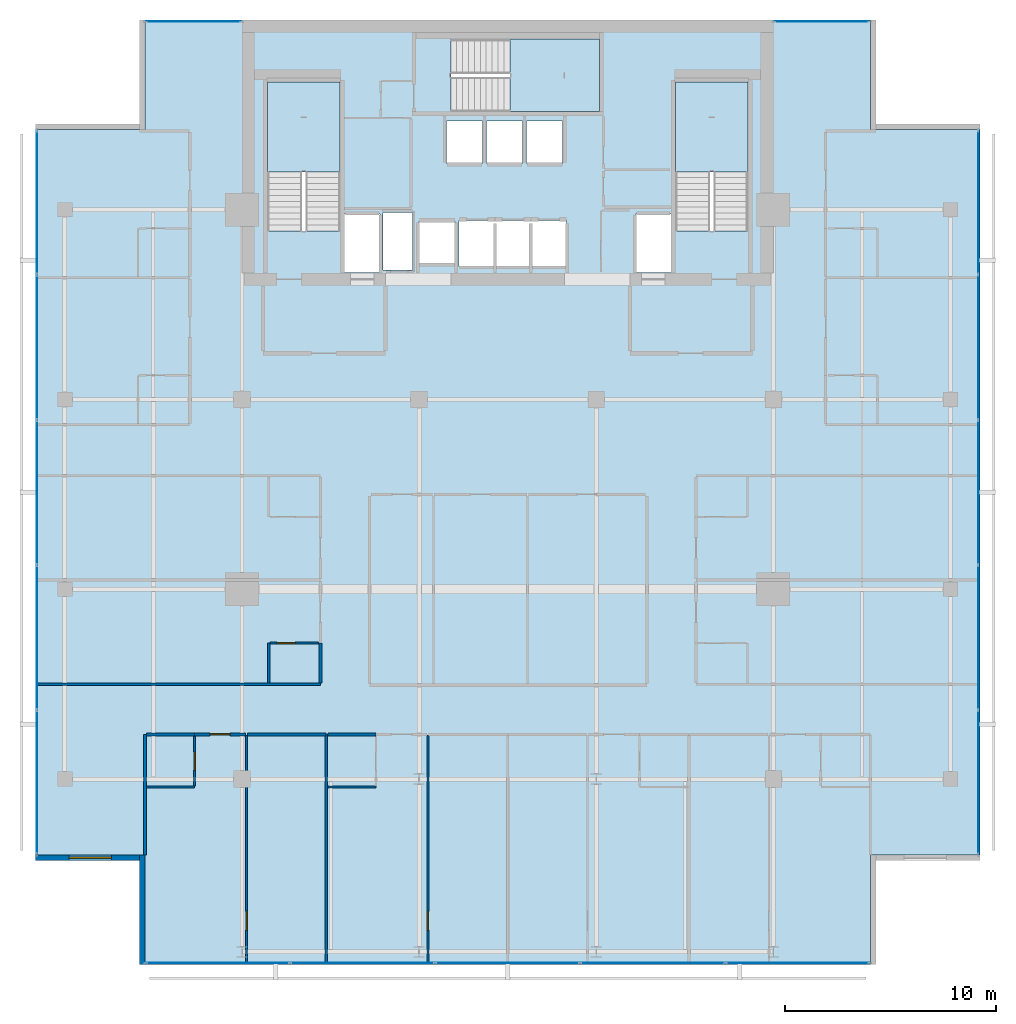
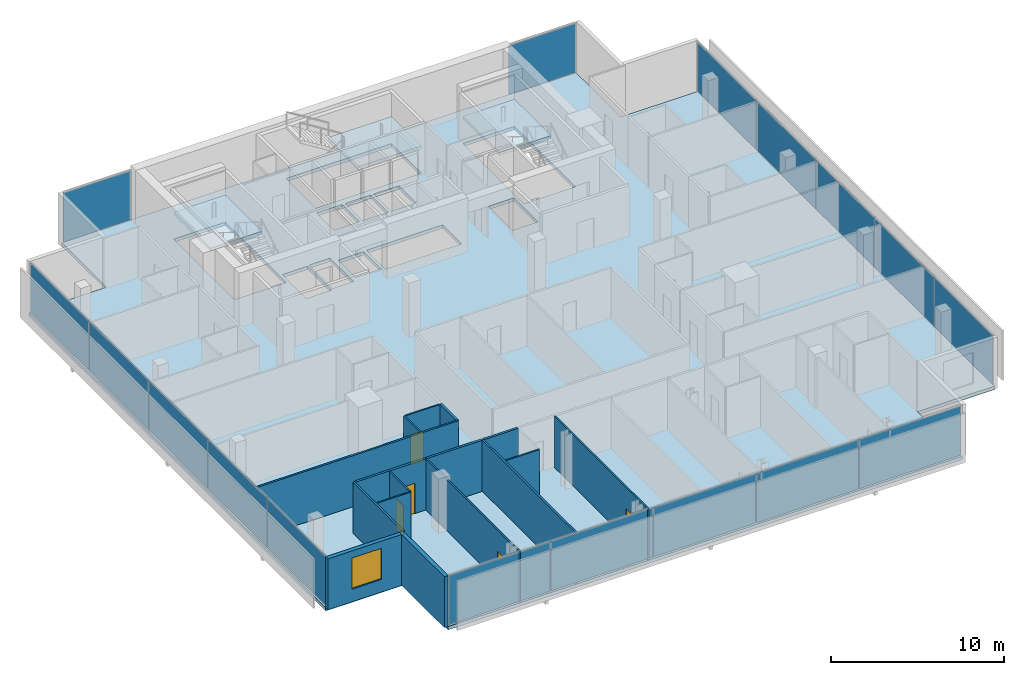
# One storey, part 19 of 25: 17 plates, 17 walls, 5 doors, 4 slabs, 1 window, 6 openings, 8 elements without a shape of their own.
"""IFC4 building model written with IfcOpenShell, lengths in metres."""

import ifcopenshell
import ifcopenshell.guid

model = None  # the IFC model being written
_history = None  # IfcOwnerHistory: only IFC2X3 demands one
_inside = {}  # id of a spatial element -> (the spatial element, [elements in it])
_under = {}  # id of a project, library or spatial element -> (it, [spatial elements below it])
_declared = {}  # id of a project -> (the project, [libraries it declares])
_typed = {}  # id of a type object -> (the type object, [elements of that type])
_made_of = {}  # id of a material, layer set ... -> (it, [elements and type objects made of it])


def new_model(schema):
    """Start an empty IFC model of exactly this schema.

    Asked for "IFC4X3", IfcOpenShell would pick the latest addendum, in which some entities
    have other attributes; the version numbers below select the first issue.
    IFC2X3 requires an IfcOwnerHistory on every rooted entity: one is made here for all.
    """
    global model, _history
    if schema == "IFC4X3":
        model = ifcopenshell.file(schema_version=(4, 3, 0, 0))
    else:
        model = ifcopenshell.file(schema=schema)
    _inside.clear()
    _under.clear()
    _declared.clear()
    _typed.clear()
    _made_of.clear()
    _history = None
    if model.schema == "IFC2X3":
        org = make("IfcOrganization", Name="unknown")
        user = make(
            "IfcPersonAndOrganization",
            ThePerson=make("IfcPerson", FamilyName="unknown"),
            TheOrganization=org,
        )
        app = make(
            "IfcApplication",
            ApplicationDeveloper=org,
            Version="unknown",
            ApplicationFullName="unknown",
            ApplicationIdentifier="unknown",
        )
        _history = make(
            "IfcOwnerHistory",
            OwningUser=user,
            OwningApplication=app,
            ChangeAction="ADDED",
            CreationDate=0,
        )
    return model


def make(cls, **values):
    """One entity of the class cls with the attributes given. An attribute that is None is left unset."""
    return model.create_entity(
        cls, **{name: value for name, value in values.items() if value is not None}
    )


def rooted(cls, **values):
    """An entity with a GlobalId (a new one), such as an element, a storey or a relation."""
    return make(cls, GlobalId=ifcopenshell.guid.new(), OwnerHistory=_history, **values)


def si_unit(unit_type, name, prefix=None):
    """IfcSIUnit, for example si_unit("LENGTHUNIT", "METRE", prefix="MILLI")."""
    return make("IfcSIUnit", UnitType=unit_type, Prefix=prefix, Name=name)


def assignment(units):
    """IfcUnitAssignment: the units of a project."""
    return None if units is None else make("IfcUnitAssignment", Units=units)


def point(xyz):
    """IfcCartesianPoint."""
    return None if xyz is None else make("IfcCartesianPoint", Coordinates=xyz)


def direction(xyz):
    """IfcDirection."""
    return None if xyz is None else make("IfcDirection", DirectionRatios=xyz)


def frame(location, z_axis=None, x_axis=None):
    """IfcAxis2Placement3D, a coordinate frame: its origin and axes. An axis left out is left unset."""
    return make(
        "IfcAxis2Placement3D",
        Location=point(location),
        Axis=direction(z_axis),
        RefDirection=direction(x_axis),
    )


def frame_2d(location, x_axis=None):
    """IfcAxis2Placement2D, a coordinate frame in the plane: its origin and x axis."""
    return make(
        "IfcAxis2Placement2D", Location=point(location), RefDirection=direction(x_axis)
    )


def origin():
    """The frame at (0, 0, 0) with its axes left unset."""
    return frame((0.0, 0.0, 0.0))


def origin_2d():
    """The frame at (0, 0) in the plane with its x axis left unset."""
    return frame_2d((0.0, 0.0))


def place(relative_to, where):
    """IfcLocalPlacement: puts the frame where relative to a parent placement (None: the world)."""
    return make(
        "IfcLocalPlacement", PlacementRelTo=relative_to, RelativePlacement=where
    )


def context(
    kind, dimensions, precision=None, world=None, true_north=None, identifier=None
):
    """IfcGeometricRepresentationContext, for example the 3D "Model" context."""
    return make(
        "IfcGeometricRepresentationContext",
        ContextIdentifier=identifier,
        ContextType=kind,
        CoordinateSpaceDimension=dimensions,
        Precision=precision,
        WorldCoordinateSystem=world,
        TrueNorth=true_north,
    )


def subcontext(parent, identifier, kind, view, scale=None):
    """IfcGeometricRepresentationSubContext, for example "Body" below "Model"."""
    return make(
        "IfcGeometricRepresentationSubContext",
        ContextIdentifier=identifier,
        ContextType=kind,
        ParentContext=parent,
        TargetScale=scale,
        TargetView=view,
    )


def project(units=None, contexts=None):
    """IfcProject with its units and contexts."""
    return rooted(
        "IfcProject",
        Name="project",
        RepresentationContexts=contexts,
        UnitsInContext=assignment(units),
    )


def spatial(cls, under=None, at=None, **own):
    """A site, building, storey or space (cls), placed at a placement, below another one or the project."""
    s = rooted(cls, ObjectPlacement=at, **own)
    if under is not None:
        _under.setdefault(under.id(), (under, []))[1].append(s)
    return s


def polyline(points):
    """IfcPolyline through the points."""
    return make("IfcPolyline", Points=[point(p) for p in points])


def profile(cls, at=None, kind="AREA", **sizes):
    """A parametric profile (cls). Its sizes go by their IFC names, for example OverallWidth=200.0."""
    return make(cls, ProfileType=kind, Position=at, **sizes)


def rectangle(**sizes):
    """IfcRectangleProfileDef."""
    return profile("IfcRectangleProfileDef", **sizes)


def outline(outer, holes=None, kind="AREA"):
    """IfcArbitraryClosedProfileDef: a profile drawn as a closed curve; with holes, ...WithVoids."""
    if holes is None:
        return make("IfcArbitraryClosedProfileDef", ProfileType=kind, OuterCurve=outer)
    return make(
        "IfcArbitraryProfileDefWithVoids",
        ProfileType=kind,
        OuterCurve=outer,
        InnerCurves=holes,
    )


def extrude(swept, where, along, depth):
    """IfcExtrudedAreaSolid: the profile swept, set in the frame where, extruded along a direction by depth."""
    return make(
        "IfcExtrudedAreaSolid",
        SweptArea=swept,
        Position=where,
        ExtrudedDirection=direction(along),
        Depth=depth,
    )


def shape(context_of_items, identifier, shape_type, items):
    """IfcShapeRepresentation: the items that make up one representation, for example the "Body"."""
    return make(
        "IfcShapeRepresentation",
        ContextOfItems=context_of_items,
        RepresentationIdentifier=identifier,
        RepresentationType=shape_type,
        Items=items,
    )


def material(Name=None, Category=None):
    """IfcMaterial."""
    return make("IfcMaterial", Name=Name, Category=Category)


def layer(
    of_material, thickness, ventilated=None, Name=None, Category=None, Priority=None
):
    """IfcMaterialLayer: one layer of a wall or slab, of a material (None: an air gap)."""
    return make(
        "IfcMaterialLayer",
        Material=of_material,
        LayerThickness=thickness,
        IsVentilated=ventilated,
        Name=Name,
        Category=Category,
        Priority=Priority,
    )


def layer_set(layers, Name=None):
    """IfcMaterialLayerSet."""
    return make("IfcMaterialLayerSet", MaterialLayers=layers, LayerSetName=Name)


def made_of(thing, what):
    """Note that an element or type object is made of a material, layer set ...; save() writes the relation."""
    if what is not None:
        _made_of.setdefault(what.id(), (what, []))[1].append(thing)
    return thing


def type_object(cls, material=None, **own):
    """A type object (cls), such as IfcWallType, which elements share."""
    return made_of(rooted(cls, **own), material)


def element(
    cls,
    number,
    at=None,
    inside=None,
    cuts=None,
    type_object=None,
    material=None,
    context=None,
    identifier="Body",
    shape_type=None,
    held_by="IfcProductDefinitionShape",
    body=None,
    shapes=None,
    **own,
):
    """One element of the class cls, such as IfcWall. Its Tag is "e" and its number.

    at: its placement. inside: the storey or other place that contains it. cuts: it is an
    opening in that element (IfcRelVoidsElement). A single representation is given by context,
    identifier, shape_type and body (its items); several are given by shapes. held_by: the class
    of the entity that holds the representations. save() writes the other relations.
    """
    e = rooted(cls, Tag="e%d" % number, ObjectPlacement=at, **own)
    if body is not None:
        shapes = [shape(context, identifier, shape_type, body)]
    if shapes is not None:
        e.Representation = make(held_by, Representations=shapes)
    if inside is not None:
        _inside.setdefault(inside.id(), (inside, []))[1].append(e)
    if cuts is not None:
        rooted(
            "IfcRelVoidsElement", RelatingBuildingElement=cuts, RelatedOpeningElement=e
        )
    if type_object is not None:
        _typed.setdefault(type_object.id(), (type_object, []))[1].append(e)
    return made_of(e, material)


def fill(opening, filler):
    """IfcRelFillsElement: the door or window that sits in an opening."""
    return rooted(
        "IfcRelFillsElement",
        RelatingOpeningElement=opening,
        RelatedBuildingElement=filler,
    )


def aggregate(whole, parts):
    """IfcRelAggregates: a whole, such as a stair, and the parts it consists of."""
    return rooted("IfcRelAggregates", RelatingObject=whole, RelatedObjects=parts)


def save(model, path):
    """Write the relations noted so far, then the file.

    IfcRelAggregates (storeys below a building ...), IfcRelContainedInSpatialStructure (elements
    in a storey), IfcRelDefinesByType, IfcRelAssociatesMaterial and IfcRelDeclares: one each for
    every whole, place, type object, material and project.
    """
    for whole, parts in _under.values():
        aggregate(whole, parts)
    for where, things in _inside.values():
        rooted(
            "IfcRelContainedInSpatialStructure",
            RelatedElements=things,
            RelatingStructure=where,
        )
    for kind, things in _typed.values():
        rooted("IfcRelDefinesByType", RelatedObjects=things, RelatingType=kind)
    for what, things in _made_of.values():
        rooted("IfcRelAssociatesMaterial", RelatedObjects=things, RelatingMaterial=what)
    for by, libraries in _declared.values():
        rooted("IfcRelDeclares", RelatingContext=by, RelatedDefinitions=libraries)
    model.write(path)


model = new_model("IFC4")

# Units and contexts
model_context = context("Model", 3, precision=1e-05, world=origin(), true_north=direction((0.0, 1.0)))
body_context = subcontext(model_context, "Body", "Model", "MODEL_VIEW")
ifc_project = project(units=[si_unit("LENGTHUNIT", "METRE"), si_unit("AREAUNIT", "SQUARE_METRE"), si_unit("VOLUMEUNIT", "CUBIC_METRE"), si_unit("PLANEANGLEUNIT", "RADIAN"), si_unit("MASSUNIT", "GRAM", prefix="KILO")], contexts=[model_context])

# Site, building, storey
site_placement = place(None, origin())
site = spatial("IfcSite", under=ifc_project, at=site_placement, CompositionType="ELEMENT")
building_placement = place(site_placement, origin())
building = spatial("IfcBuilding", under=site, at=building_placement, Name="Maruvema Waterfront Hotel and Observation Tower", CompositionType="ELEMENT")
storey_placement = place(building_placement, frame((0.0, 0.0, 250.949951171875)))
storey = spatial("IfcBuildingStorey", under=building, at=storey_placement, Name="L61", CompositionType="ELEMENT", Elevation=250.949951171875)

# Slab
ifc_material_1 = material(Name="Concrete C50/60", Category="concrete")
ifc_layer_1 = layer(ifc_material_1, 0.239990234375, Name="Reinforced Concrete Floor Slab 240 mm")
ifc_layer_set_1 = layer_set([ifc_layer_1], Name="Concrete C50/60")
slab_type_1 = type_object("IfcSlabType", Name="Reinforced Concrete Floor Slab 240 mm", PredefinedType="FLOOR", material=ifc_layer_set_1)
slab_1_placement = place(storey_placement, frame((0.0, 0.0, -0.239990234375)))
element("IfcSlab", 1, at=slab_1_placement, inside=storey, type_object=slab_type_1, Name="L61 Structural Floor Slab", PredefinedType="FLOOR", context=body_context, shape_type="SweptSolid", body=[
    extrude(outline(polyline([(20.60009765625, 9.199951171875), (55.0, 9.199951171875), (55.0, 14.39990234375), (60.199951171875, 14.39990234375), (60.199951171875, 48.800048828125), (55.0, 48.800048828125), (55.0, 54.0), (20.60009765625, 54.0), (20.60009765625, 48.800048828125), (15.39990234375, 48.800048828125), (15.39990234375, 14.39990234375), (20.60009765625, 14.39990234375), (20.60009765625, 9.199951171875)]), holes=[polyline([(26.39990234375, 44.00048828125), (26.39990234375, 51.050048828125), (29.85009765625, 51.050048828125), (29.85009765625, 44.00048828125), (26.39990234375, 44.00048828125)]), polyline([(30.050048828125, 44.800048828125), (31.75, 44.800048828125), (31.75, 42.02001953125), (30.050048828125, 42.02001953125), (30.050048828125, 44.800048828125)]), polyline([(31.8798828125, 42.139892578125), (31.8798828125, 44.860107421875), (33.280029296875, 44.860107421875), (33.280029296875, 42.139892578125), (31.8798828125, 42.139892578125)]), polyline([(33.60009765625, 44.449951171875), (35.300048828125, 44.449951171875), (35.300048828125, 42.449951171875), (33.60009765625, 42.449951171875), (33.60009765625, 44.449951171875)]), polyline([(34.89990234375, 49.199951171875), (36.60009765625, 49.199951171875), (36.60009765625, 47.199951171875), (34.89990234375, 47.199951171875), (34.89990234375, 49.199951171875)]), polyline([(36.800048828125, 47.199951171875), (36.800048828125, 49.199951171875), (38.5, 49.199951171875), (38.5, 47.199951171875), (36.800048828125, 47.199951171875)]), polyline([(35.5, 42.300048828125), (35.5, 44.5), (40.60009765625, 44.5), (40.60009765625, 42.300048828125), (35.5, 42.300048828125)]), polyline([(35.1005859375, 53.10009765625), (42.14990234375, 53.10009765625), (42.14990234375, 49.64990234375), (35.1005859375, 49.64990234375), (35.1005859375, 53.10009765625)]), polyline([(38.699951171875, 49.199951171875), (40.39990234375, 49.199951171875), (40.39990234375, 47.199951171875), (38.699951171875, 47.199951171875), (38.699951171875, 49.199951171875)]), polyline([(43.85009765625, 44.800048828125), (45.550048828125, 44.800048828125), (45.550048828125, 42.02001953125), (43.85009765625, 42.02001953125), (43.85009765625, 44.800048828125)]), polyline([(45.75, 44.00048828125), (45.75, 51.050048828125), (49.199951171875, 51.050048828125), (49.199951171875, 44.00048828125), (45.75, 44.00048828125)])]), origin(), (0.0, 0.0, 1.0), 0.239990234375),
])

# Curtain wall, plates
ifc_material_2 = material(Name="Anodised bronze aluminium and solar-control low-E IGU", Category="aluminium")
ifc_layer_2 = layer(ifc_material_2, 0.159912109375, Name="Zone 3 Champagne Inner Thermal Curtain Wall System CW-04")
ifc_layer_set_2 = layer_set([ifc_layer_2], Name="Anodised bronze aluminium and solar-control low-E IGU")
curtain_wall_type = type_object("IfcCurtainWallType", Name="Zone 3 Champagne Inner Thermal Curtain Wall System CW-04", PredefinedType="USERDEFINED", material=ifc_layer_set_2)
curtain_wall_1_placement = place(storey_placement, origin())
curtain_wall_1 = element("IfcCurtainWall", 2, at=curtain_wall_1_placement, inside=storey, type_object=curtain_wall_type, Name="L61 Curtain Wall CW-L61-S", ObjectType="UNITISED CURTAIN WALL", PredefinedType="USERDEFINED")
ifc_material_3 = material(Name="Laminated low-E solar-control double glazing", Category="glass")
ifc_layer_3 = layer(ifc_material_3, 0.035888671875, Name="Solar Control Double-Glazed Curtain Panel 36 mm")
ifc_layer_set_3 = layer_set([ifc_layer_3], Name="Laminated low-E solar-control double glazing")
plate_type = type_object("IfcPlateType", Name="Solar Control Double-Glazed Curtain Panel 36 mm", PredefinedType="CURTAIN_PANEL", material=ifc_layer_set_3)
plate_1_placement = place(storey_placement, frame((24.054931640625, 9.280029296875, 0.06005859375), z_axis=(0.0, 0.0, 1.0), x_axis=(1.0, 0.0, 0.0)))
plate_1 = element("IfcPlate", 3, at=plate_1_placement, type_object=plate_type, Name="CW-04 panel 1.1", PredefinedType="CURTAIN_PANEL", context=body_context, shape_type="SweptSolid", body=[
    extrude(rectangle(XDim=6.7900390625, YDim=0.028076171875, at=origin_2d()), origin(), (0.0, 0.0, 1.0), 3.489990234375),
])
plate_2_placement = place(storey_placement, frame((30.919921875, 9.280029296875, 0.06005859375), z_axis=(0.0, 0.0, 1.0), x_axis=(1.0, 0.0, 0.0)))
plate_2 = element("IfcPlate", 4, at=plate_2_placement, type_object=plate_type, Name="CW-04 panel 2.1", PredefinedType="CURTAIN_PANEL", context=body_context, shape_type="SweptSolid", body=[
    extrude(rectangle(XDim=6.820068359375, YDim=0.028076171875, at=origin_2d()), origin(), (0.0, 0.0, 1.0), 3.489990234375),
])
plate_3_placement = place(storey_placement, frame((37.800048828125, 9.280029296875, 0.06005859375), z_axis=(0.0, 0.0, 1.0), x_axis=(1.0, 0.0, 0.0)))
plate_3 = element("IfcPlate", 5, at=plate_3_placement, type_object=plate_type, Name="CW-04 panel 3.1", PredefinedType="CURTAIN_PANEL", context=body_context, shape_type="SweptSolid", body=[
    extrude(rectangle(XDim=6.820068359375, YDim=0.028076171875, at=origin_2d()), origin(), (0.0, 0.0, 1.0), 3.489990234375),
])
plate_4_placement = place(storey_placement, frame((44.679931640625, 9.280029296875, 0.06005859375), z_axis=(0.0, 0.0, 1.0), x_axis=(1.0, 0.0, 0.0)))
plate_4 = element("IfcPlate", 6, at=plate_4_placement, type_object=plate_type, Name="CW-04 panel 4.1", PredefinedType="CURTAIN_PANEL", context=body_context, shape_type="SweptSolid", body=[
    extrude(rectangle(XDim=6.820068359375, YDim=0.028076171875, at=origin_2d()), origin(), (0.0, 0.0, 1.0), 3.489990234375),
])
plate_5_placement = place(storey_placement, frame((51.544921875, 9.280029296875, 0.06005859375), z_axis=(0.0, 0.0, 1.0), x_axis=(1.0, 0.0, 0.0)))
plate_5 = element("IfcPlate", 7, at=plate_5_placement, type_object=plate_type, Name="CW-04 panel 5.1", PredefinedType="CURTAIN_PANEL", context=body_context, shape_type="SweptSolid", body=[
    extrude(rectangle(XDim=6.7900390625, YDim=0.028076171875, at=origin_2d()), origin(), (0.0, 0.0, 1.0), 3.489990234375),
])
aggregate(curtain_wall_1, [plate_1, plate_2, plate_3, plate_4, plate_5])

curtain_wall_2_placement = place(storey_placement, origin())
curtain_wall_2 = element("IfcCurtainWall", 8, at=curtain_wall_2_placement, inside=storey, type_object=curtain_wall_type, Name="L61 Curtain Wall CW-L61-E", ObjectType="UNITISED CURTAIN WALL", PredefinedType="USERDEFINED")
plate_6_placement = place(storey_placement, frame((60.1201171875, 17.85498046875, 0.06005859375), z_axis=(0.0, 0.0, 1.0), x_axis=(0.0, 1.0, 0.0)))
plate_6 = element("IfcPlate", 9, at=plate_6_placement, type_object=plate_type, Name="CW-04 panel 1.1", PredefinedType="CURTAIN_PANEL", context=body_context, shape_type="SweptSolid", body=[
    extrude(rectangle(XDim=6.7900390625, YDim=0.028076171875, at=origin_2d()), origin(), (0.0, 0.0, 1.0), 3.489990234375),
])
plate_7_placement = place(storey_placement, frame((60.1201171875, 24.719970703125, 0.06005859375), z_axis=(0.0, 0.0, 1.0), x_axis=(0.0, 1.0, 0.0)))
plate_7 = element("IfcPlate", 10, at=plate_7_placement, type_object=plate_type, Name="CW-04 panel 2.1", PredefinedType="CURTAIN_PANEL", context=body_context, shape_type="SweptSolid", body=[
    extrude(rectangle(XDim=6.820068359375, YDim=0.028076171875, at=origin_2d()), origin(), (0.0, 0.0, 1.0), 3.489990234375),
])
plate_8_placement = place(storey_placement, frame((60.1201171875, 31.60009765625, 0.06005859375), z_axis=(0.0, 0.0, 1.0), x_axis=(0.0, 1.0, 0.0)))
plate_8 = element("IfcPlate", 11, at=plate_8_placement, type_object=plate_type, Name="CW-04 panel 3.1", PredefinedType="CURTAIN_PANEL", context=body_context, shape_type="SweptSolid", body=[
    extrude(rectangle(XDim=6.820068359375, YDim=0.028076171875, at=origin_2d()), origin(), (0.0, 0.0, 1.0), 3.489990234375),
])
plate_9_placement = place(storey_placement, frame((60.1201171875, 38.47998046875, 0.06005859375), z_axis=(0.0, 0.0, 1.0), x_axis=(0.0, 1.0, 0.0)))
plate_9 = element("IfcPlate", 12, at=plate_9_placement, type_object=plate_type, Name="CW-04 panel 4.1", PredefinedType="CURTAIN_PANEL", context=body_context, shape_type="SweptSolid", body=[
    extrude(rectangle(XDim=6.820068359375, YDim=0.028076171875, at=origin_2d()), origin(), (0.0, 0.0, 1.0), 3.489990234375),
])
plate_10_placement = place(storey_placement, frame((60.1201171875, 45.344970703125, 0.06005859375), z_axis=(0.0, 0.0, 1.0), x_axis=(0.0, 1.0, 0.0)))
plate_10 = element("IfcPlate", 13, at=plate_10_placement, type_object=plate_type, Name="CW-04 panel 5.1", PredefinedType="CURTAIN_PANEL", context=body_context, shape_type="SweptSolid", body=[
    extrude(rectangle(XDim=6.7900390625, YDim=0.028076171875, at=origin_2d()), origin(), (0.0, 0.0, 1.0), 3.489990234375),
])
aggregate(curtain_wall_2, [plate_6, plate_7, plate_8, plate_9, plate_10])

curtain_wall_3_placement = place(storey_placement, origin())
curtain_wall_3 = element("IfcCurtainWall", 14, at=curtain_wall_3_placement, inside=storey, type_object=curtain_wall_type, Name="L61 Curtain Wall CW-L61-W", ObjectType="UNITISED CURTAIN WALL", PredefinedType="USERDEFINED")
plate_11_placement = place(storey_placement, frame((15.47998046875, 45.344970703125, 0.06005859375), z_axis=(0.0, 0.0, 1.0), x_axis=(0.0, -1.0, 0.0)))
plate_11 = element("IfcPlate", 15, at=plate_11_placement, type_object=plate_type, Name="CW-04 panel 1.1", PredefinedType="CURTAIN_PANEL", context=body_context, shape_type="SweptSolid", body=[
    extrude(rectangle(XDim=6.7900390625, YDim=0.028076171875, at=origin_2d()), origin(), (0.0, 0.0, 1.0), 3.489990234375),
])
plate_12_placement = place(storey_placement, frame((15.47998046875, 38.47998046875, 0.06005859375), z_axis=(0.0, 0.0, 1.0), x_axis=(0.0, -1.0, 0.0)))
plate_12 = element("IfcPlate", 16, at=plate_12_placement, type_object=plate_type, Name="CW-04 panel 2.1", PredefinedType="CURTAIN_PANEL", context=body_context, shape_type="SweptSolid", body=[
    extrude(rectangle(XDim=6.820068359375, YDim=0.028076171875, at=origin_2d()), origin(), (0.0, 0.0, 1.0), 3.489990234375),
])
plate_13_placement = place(storey_placement, frame((15.47998046875, 31.60009765625, 0.06005859375), z_axis=(0.0, 0.0, 1.0), x_axis=(0.0, -1.0, 0.0)))
plate_13 = element("IfcPlate", 17, at=plate_13_placement, type_object=plate_type, Name="CW-04 panel 3.1", PredefinedType="CURTAIN_PANEL", context=body_context, shape_type="SweptSolid", body=[
    extrude(rectangle(XDim=6.820068359375, YDim=0.028076171875, at=origin_2d()), origin(), (0.0, 0.0, 1.0), 3.489990234375),
])
plate_14_placement = place(storey_placement, frame((15.47998046875, 24.719970703125, 0.06005859375), z_axis=(0.0, 0.0, 1.0), x_axis=(0.0, -1.0, 0.0)))
plate_14 = element("IfcPlate", 18, at=plate_14_placement, type_object=plate_type, Name="CW-04 panel 4.1", PredefinedType="CURTAIN_PANEL", context=body_context, shape_type="SweptSolid", body=[
    extrude(rectangle(XDim=6.820068359375, YDim=0.028076171875, at=origin_2d()), origin(), (0.0, 0.0, 1.0), 3.489990234375),
])
plate_15_placement = place(storey_placement, frame((15.47998046875, 17.85498046875, 0.06005859375), z_axis=(0.0, 0.0, 1.0), x_axis=(0.0, -1.0, 0.0)))
plate_15 = element("IfcPlate", 19, at=plate_15_placement, type_object=plate_type, Name="CW-04 panel 5.1", PredefinedType="CURTAIN_PANEL", context=body_context, shape_type="SweptSolid", body=[
    extrude(rectangle(XDim=6.7900390625, YDim=0.028076171875, at=origin_2d()), origin(), (0.0, 0.0, 1.0), 3.489990234375),
])
aggregate(curtain_wall_3, [plate_11, plate_12, plate_13, plate_14, plate_15])

# Curtain wall, plate
curtain_wall_4_placement = place(storey_placement, origin())
curtain_wall_4 = element("IfcCurtainWall", 20, at=curtain_wall_4_placement, inside=storey, type_object=curtain_wall_type, Name="L61 Curtain Wall CW-L61-NW", ObjectType="UNITISED CURTAIN WALL", PredefinedType="USERDEFINED")
plate_16_placement = place(storey_placement, frame((22.89990234375, 53.919921875, 0.06005859375), z_axis=(0.0, 0.0, 1.0), x_axis=(-1.0, 0.0, 0.0)))
plate_16 = element("IfcPlate", 21, at=plate_16_placement, type_object=plate_type, Name="CW-04 panel 1.1", PredefinedType="CURTAIN_PANEL", context=body_context, shape_type="SweptSolid", body=[
    extrude(rectangle(XDim=4.47998046875, YDim=0.028076171875, at=origin_2d()), origin(), (0.0, 0.0, 1.0), 3.489990234375),
])
aggregate(curtain_wall_4, [plate_16])

curtain_wall_5_placement = place(storey_placement, origin())
curtain_wall_5 = element("IfcCurtainWall", 22, at=curtain_wall_5_placement, inside=storey, type_object=curtain_wall_type, Name="L61 Curtain Wall CW-L61-NE", ObjectType="UNITISED CURTAIN WALL", PredefinedType="USERDEFINED")
plate_17_placement = place(storey_placement, frame((52.699951171875, 53.919921875, 0.06005859375), z_axis=(0.0, 0.0, 1.0), x_axis=(-1.0, 0.0, 0.0)))
plate_17 = element("IfcPlate", 23, at=plate_17_placement, type_object=plate_type, Name="CW-04 panel 1.1", PredefinedType="CURTAIN_PANEL", context=body_context, shape_type="SweptSolid", body=[
    extrude(rectangle(XDim=4.47998046875, YDim=0.028076171875, at=origin_2d()), origin(), (0.0, 0.0, 1.0), 3.489990234375),
])
aggregate(curtain_wall_5, [plate_17])

# Stair, slab
ifc_material_4 = material(Name="Concrete C50/60", Category="concrete")
stair_type = type_object("IfcStairType", Name="Dogleg Exit Stair 1650 mm (22R x 175.0 mm)", PredefinedType="HALF_TURN_STAIR", material=ifc_material_4)
stair_1_placement = place(storey_placement, origin())
stair_1 = element("IfcStair", 24, at=stair_1_placement, inside=storey, type_object=stair_type, Name="L61 ST-01", PredefinedType="HALF_TURN_STAIR")
ifc_material_5 = material(Name="Concrete C50/60", Category="concrete")
ifc_layer_4 = layer(ifc_material_5, 0.219970703125, Name="Stair Concrete Landing Slab 220 mm")
ifc_layer_set_4 = layer_set([ifc_layer_4], Name="Concrete C50/60")
slab_type_2 = type_object("IfcSlabType", Name="Stair Concrete Landing Slab 220 mm", PredefinedType="LANDING", material=ifc_layer_set_4)
slab_2_placement = place(storey_placement, frame((0.0, 0.0, 1.705078125)))
slab_2 = element("IfcSlab", 25, at=slab_2_placement, type_object=slab_type_2, Name="ST-01 landing 1", PredefinedType="LANDING", context=body_context, shape_type="SweptSolid", body=[
    extrude(outline(polyline([(29.85009765625, 46.800048828125), (29.85009765625, 51.050048828125), (26.39990234375, 51.050048828125), (26.39990234375, 46.800048828125), (29.85009765625, 46.800048828125)])), origin(), (0.0, 0.0, 1.0), 0.219970703125),
])
aggregate(stair_1, [slab_2])

stair_2_placement = place(storey_placement, origin())
stair_2 = element("IfcStair", 26, at=stair_2_placement, inside=storey, type_object=stair_type, Name="L61 ST-02", PredefinedType="HALF_TURN_STAIR")
slab_3_placement = place(storey_placement, frame((0.0, 0.0, 1.705078125)))
slab_3 = element("IfcSlab", 27, at=slab_3_placement, type_object=slab_type_2, Name="ST-02 landing 1", PredefinedType="LANDING", context=body_context, shape_type="SweptSolid", body=[
    extrude(outline(polyline([(37.89990234375, 49.64990234375), (42.14990234375, 49.64990234375), (42.14990234375, 53.10009765625), (37.89990234375, 53.10009765625), (37.89990234375, 49.64990234375)])), origin(), (0.0, 0.0, 1.0), 0.219970703125),
])
aggregate(stair_2, [slab_3])

stair_3_placement = place(storey_placement, origin())
stair_3 = element("IfcStair", 28, at=stair_3_placement, inside=storey, type_object=stair_type, Name="L61 ST-03", PredefinedType="HALF_TURN_STAIR")
slab_4_placement = place(storey_placement, frame((0.0, 0.0, 1.705078125)))
slab_4 = element("IfcSlab", 29, at=slab_4_placement, type_object=slab_type_2, Name="ST-03 landing 1", PredefinedType="LANDING", context=body_context, shape_type="SweptSolid", body=[
    extrude(outline(polyline([(49.199951171875, 46.800048828125), (49.199951171875, 51.050048828125), (45.75, 51.050048828125), (45.75, 46.800048828125), (49.199951171875, 46.800048828125)])), origin(), (0.0, 0.0, 1.0), 0.219970703125),
])
aggregate(stair_3, [slab_4])

# Wall
ifc_material_6 = material(Name="Twin-stud acoustic gypsum drywall", Category="gypsum")
ifc_layer_5 = layer(ifc_material_6, 0.14990234375, Name="Acoustic Corridor and Suite Demising Wall 150 mm")
ifc_layer_set_5 = layer_set([ifc_layer_5], Name="Twin-stud acoustic gypsum drywall")
wall_type_1 = type_object("IfcWallType", Name="Acoustic Corridor and Suite Demising Wall 150 mm", PredefinedType="PARTITIONING", material=ifc_layer_set_5)
wall_1_placement = place(storey_placement, frame((20.679931640625, 20.1201171875, 0.0), z_axis=(0.0, 0.0, 1.0), x_axis=(1.0, 0.0, 0.0)))
element("IfcWall", 30, at=wall_1_placement, inside=storey, type_object=wall_type_1, Name="L61 Bath L61-S1 Back Wall 031", PredefinedType="PARTITIONING", context=body_context, shape_type="SweptSolid", body=[
    extrude(rectangle(XDim=2.27001953125, YDim=0.14990234375, at=frame_2d((1.135009765625, 0.0))), origin(), (0.0, 0.0, 1.0), 3.610107421875),
])

# Wall, opening, door
wall_2_placement = place(storey_placement, frame((22.949951171875, 20.1201171875, 0.0), z_axis=(0.0, 0.0, 1.0), x_axis=(1.0, 0.0, 0.0)))
wall_2 = element("IfcWall", 31, at=wall_2_placement, inside=storey, type_object=wall_type_1, Name="L61 Unit L61-S1 Corridor Wall 034", PredefinedType="PARTITIONING", context=body_context, shape_type="SweptSolid", body=[
    extrude(rectangle(XDim=2.426025390625, YDim=0.14990234375, at=frame_2d((1.212890625, 0.0))), origin(), (0.0, 0.0, 1.0), 3.610107421875),
])
opening_1_placement = place(wall_2_placement, frame((0.738037109375, 0.0, 0.0)))
opening_1 = element("IfcOpeningElement", 32, at=opening_1_placement, cuts=wall_2, Name="Opening DR-095", PredefinedType="OPENING", context=body_context, shape_type="SweptSolid", body=[
    extrude(rectangle(XDim=0.949951171875, YDim=2.14990234375, at=frame_2d((0.47509765625, 1.074951171875))), frame((0.0, 0.0849609375, 0.0), z_axis=(0.0, -1.0, 0.0), x_axis=(1.0, 0.0, 0.0)), (0.0, 0.0, 1.0), 0.169921875),
])
ifc_material_7 = material(Name="Acoustic solid-core hardwood timber leaf", Category="wood")
door_type_1 = type_object("IfcDoorType", Name="Guestroom Entrance Fire Door 950x2150 mm", OperationType="NOTDEFINED", PredefinedType="DOOR", material=ifc_material_7)
door_1_placement = place(opening_1_placement, frame((0.949951171875, 0.0, 0.0), z_axis=(0.0, 0.0, 1.0), x_axis=(-1.0, 0.0, 0.0)))
door_1 = element("IfcDoor", 33, at=door_1_placement, inside=storey, type_object=door_type_1, Name="L61 Unit L61-S1 Entrance Door", OperationType="SINGLE_SWING_LEFT", OverallHeight=2.14990234375, OverallWidth=0.949951171875, PredefinedType="DOOR", context=body_context, shape_type="SweptSolid", body=[
    extrude(rectangle(XDim=0.949951171875, YDim=2.14990234375, at=frame_2d((0.47509765625, 1.074951171875))), frame((0.0, 0.02490234375, 0.0), z_axis=(0.0, -1.0, 0.0), x_axis=(1.0, 0.0, 0.0)), (0.0, 0.0, 1.0), 0.050048828125),
])
fill(opening_1, door_1)

# Walls
wall_3_placement = place(storey_placement, frame((25.4560546875, 20.1201171875, 0.0), z_axis=(0.0, 0.0, 1.0), x_axis=(1.0, 0.0, 0.0)))
element("IfcWall", 34, at=wall_3_placement, inside=storey, type_object=wall_type_1, Name="L61 Bedroom L61-S1 Back Wall 035", PredefinedType="PARTITIONING", context=body_context, shape_type="SweptSolid", body=[
    extrude(rectangle(XDim=3.723876953125, YDim=0.14990234375, at=frame_2d((1.86181640625, 0.0))), origin(), (0.0, 0.0, 1.0), 3.610107421875),
])
wall_4_placement = place(storey_placement, frame((29.280029296875, 20.1201171875, 0.0), z_axis=(0.0, 0.0, 1.0), x_axis=(1.0, 0.0, 0.0)))
element("IfcWall", 35, at=wall_4_placement, inside=storey, type_object=wall_type_1, Name="L61 Bath L61-S2 Back Wall 038", PredefinedType="PARTITIONING", context=body_context, shape_type="SweptSolid", body=[
    extrude(rectangle(XDim=2.27001953125, YDim=0.14990234375, at=frame_2d((1.135009765625, 0.0))), origin(), (0.0, 0.0, 1.0), 3.610107421875),
])
wall_5_placement = place(storey_placement, frame((28.919921875, 22.56005859375, 0.0), z_axis=(0.0, 0.0, 1.0), x_axis=(0.0, 1.0, 0.0)))
element("IfcWall", 36, at=wall_5_placement, inside=storey, type_object=wall_type_1, Name="L61 Bath L61-W1 Wall 062", PredefinedType="PARTITIONING", context=body_context, shape_type="SweptSolid", body=[
    extrude(rectangle(XDim=1.889892578125, YDim=0.14990234375, at=frame_2d((0.94482421875, 0.0))), origin(), (0.0, 0.0, 1.0), 3.610107421875),
])
ifc_material_8 = material(Name="Moisture-resistant cement-board drywall", Category="gypsum")
ifc_layer_6 = layer(ifc_material_8, 0.10009765625, Name="En-Suite Moisture-Resistant Partition 100 mm")
ifc_layer_set_6 = layer_set([ifc_layer_6], Name="Moisture-resistant cement-board drywall")
wall_type_2 = type_object("IfcWallType", Name="En-Suite Moisture-Resistant Partition 100 mm", PredefinedType="PARTITIONING", material=ifc_layer_set_6)
wall_6_placement = place(storey_placement, frame((20.679931640625, 17.6201171875, 0.0), z_axis=(0.0, 0.0, 1.0), x_axis=(1.0, 0.0, 0.0)))
element("IfcWall", 37, at=wall_6_placement, inside=storey, type_object=wall_type_2, Name="L61 En-Suite L61-S1 South 032", PredefinedType="PARTITIONING", context=body_context, shape_type="SweptSolid", body=[
    extrude(rectangle(XDim=2.27001953125, YDim=0.10009765625, at=frame_2d((1.135009765625, 0.0))), origin(), (0.0, 0.0, 1.0), 3.610107421875),
])

# Wall, opening, door
wall_7_placement = place(storey_placement, frame((22.949951171875, 17.679931640625, 0.0), z_axis=(0.0, 0.0, 1.0), x_axis=(0.0, 1.0, 0.0)))
wall_7 = element("IfcWall", 38, at=wall_7_placement, inside=storey, type_object=wall_type_2, Name="L61 En-Suite L61-S1 East 033", PredefinedType="PARTITIONING", context=body_context, shape_type="SweptSolid", body=[
    extrude(rectangle(XDim=2.340087890625, YDim=0.10009765625, at=frame_2d((1.169921875, 0.0))), origin(), (0.0, 0.0, 1.0), 3.610107421875),
])
opening_2_placement = place(wall_7_placement, frame((0.7451171875, 0.0, 0.0)))
opening_2 = element("IfcOpeningElement", 39, at=opening_2_placement, cuts=wall_7, Name="Opening DR-085", PredefinedType="OPENING", context=body_context, shape_type="SweptSolid", body=[
    extrude(rectangle(XDim=0.85009765625, YDim=2.10009765625, at=frame_2d((0.425048828125, 1.050048828125))), frame((0.0, 0.06005859375, 0.0), z_axis=(0.0, -1.0, 0.0), x_axis=(1.0, 0.0, 0.0)), (0.0, 0.0, 1.0), 0.1201171875),
])
ifc_material_9 = material(Name="Moisture-resistant solid timber leaf", Category="wood")
door_type_2 = type_object("IfcDoorType", Name="En-Suite Bathroom Door 850x2100 mm", OperationType="NOTDEFINED", PredefinedType="DOOR", material=ifc_material_9)
door_2_placement = place(opening_2_placement, frame((0.85009765625, 0.0, 0.0), z_axis=(0.0, 0.0, 1.0), x_axis=(-1.0, 0.0, 0.0)))
door_2 = element("IfcDoor", 40, at=door_2_placement, inside=storey, type_object=door_type_2, Name="L61 En-Suite L61-S1 Door", OperationType="SINGLE_SWING_RIGHT", OverallHeight=2.10009765625, OverallWidth=0.85009765625, PredefinedType="DOOR", context=body_context, shape_type="SweptSolid", body=[
    extrude(rectangle(XDim=0.85009765625, YDim=2.10009765625, at=frame_2d((0.425048828125, 1.050048828125))), frame((0.0, 0.02490234375, 0.0), z_axis=(0.0, -1.0, 0.0), x_axis=(1.0, 0.0, 0.0)), (0.0, 0.0, 1.0), 0.050048828125),
])
fill(opening_2, door_2)

wall_8_placement = place(storey_placement, frame((25.416015625, 9.22998046875, 0.0), z_axis=(0.0, 0.0, 1.0), x_axis=(0.0, 1.0, 0.0)))
wall_8 = element("IfcWall", 41, at=wall_8_placement, inside=storey, type_object=wall_type_2, Name="L61 Suite L61-S1 Split 036", PredefinedType="PARTITIONING", context=body_context, shape_type="SweptSolid", body=[
    extrude(rectangle(XDim=10.830078125, YDim=0.10009765625, at=frame_2d((5.4150390625, 0.0))), origin(), (0.0, 0.0, 1.0), 3.610107421875),
])
opening_3_placement = place(wall_8_placement, frame((1.60009765625, 0.0, 0.0)))
opening_3 = element("IfcOpeningElement", 42, at=opening_3_placement, cuts=wall_8, Name="Opening DR-090", PredefinedType="OPENING", context=body_context, shape_type="SweptSolid", body=[
    extrude(rectangle(XDim=0.89990234375, YDim=2.10009765625, at=frame_2d((0.449951171875, 1.050048828125))), frame((0.0, 0.06005859375, 0.0), z_axis=(0.0, -1.0, 0.0), x_axis=(1.0, 0.0, 0.0)), (0.0, 0.0, 1.0), 0.1201171875),
])
ifc_material_10 = material(Name="Solid-core lacquered timber leaf", Category="wood")
door_type_3 = type_object("IfcDoorType", Name="Accessible Toilet and Room Door 900x2100 mm", OperationType="NOTDEFINED", PredefinedType="DOOR", material=ifc_material_10)
door_3_placement = place(opening_3_placement, origin())
door_3 = element("IfcDoor", 43, at=door_3_placement, inside=storey, type_object=door_type_3, Name="L61 Suite L61-S1 Bedroom Door", OperationType="SINGLE_SWING_RIGHT", OverallHeight=2.10009765625, OverallWidth=0.89990234375, PredefinedType="DOOR", context=body_context, shape_type="SweptSolid", body=[
    extrude(rectangle(XDim=0.89990234375, YDim=2.10009765625, at=frame_2d((0.449951171875, 1.050048828125))), frame((0.0, 0.02490234375, 0.0), z_axis=(0.0, -1.0, 0.0), x_axis=(1.0, 0.0, 0.0)), (0.0, 0.0, 1.0), 0.050048828125),
])
fill(opening_3, door_3)

# Wall
wall_9_placement = place(storey_placement, frame((29.280029296875, 17.6201171875, 0.0), z_axis=(0.0, 0.0, 1.0), x_axis=(1.0, 0.0, 0.0)))
element("IfcWall", 44, at=wall_9_placement, inside=storey, type_object=wall_type_2, Name="L61 En-Suite L61-S2 South 039", PredefinedType="PARTITIONING", context=body_context, shape_type="SweptSolid", body=[
    extrude(rectangle(XDim=2.27001953125, YDim=0.10009765625, at=frame_2d((1.135009765625, 0.0))), origin(), (0.0, 0.0, 1.0), 3.610107421875),
])

# Wall, opening, door
wall_10_placement = place(storey_placement, frame((34.01611328125, 9.22998046875, 0.0), z_axis=(0.0, 0.0, 1.0), x_axis=(0.0, 1.0, 0.0)))
wall_10 = element("IfcWall", 45, at=wall_10_placement, inside=storey, type_object=wall_type_2, Name="L61 Suite L61-S2 Split 043", PredefinedType="PARTITIONING", context=body_context, shape_type="SweptSolid", body=[
    extrude(rectangle(XDim=10.830078125, YDim=0.10009765625, at=frame_2d((5.4150390625, 0.0))), origin(), (0.0, 0.0, 1.0), 3.610107421875),
])
opening_4_placement = place(wall_10_placement, frame((1.60009765625, 0.0, 0.0)))
opening_4 = element("IfcOpeningElement", 46, at=opening_4_placement, cuts=wall_10, Name="Opening DR-090", PredefinedType="OPENING", context=body_context, shape_type="SweptSolid", body=[
    extrude(rectangle(XDim=0.89990234375, YDim=2.10009765625, at=frame_2d((0.449951171875, 1.050048828125))), frame((0.0, 0.06005859375, 0.0), z_axis=(0.0, -1.0, 0.0), x_axis=(1.0, 0.0, 0.0)), (0.0, 0.0, 1.0), 0.1201171875),
])
door_4_placement = place(opening_4_placement, origin())
door_4 = element("IfcDoor", 47, at=door_4_placement, inside=storey, type_object=door_type_3, Name="L61 Suite L61-S2 Bedroom Door", OperationType="SINGLE_SWING_LEFT", OverallHeight=2.10009765625, OverallWidth=0.89990234375, PredefinedType="DOOR", context=body_context, shape_type="SweptSolid", body=[
    extrude(rectangle(XDim=0.89990234375, YDim=2.10009765625, at=frame_2d((0.449951171875, 1.050048828125))), frame((0.0, 0.02490234375, 0.0), z_axis=(0.0, -1.0, 0.0), x_axis=(1.0, 0.0, 0.0)), (0.0, 0.0, 1.0), 0.050048828125),
])
fill(opening_4, door_4)

# Wall
wall_11_placement = place(storey_placement, frame((26.469970703125, 22.56005859375, 0.0), z_axis=(0.0, 0.0, 1.0), x_axis=(0.0, 1.0, 0.0)))
element("IfcWall", 48, at=wall_11_placement, inside=storey, type_object=wall_type_2, Name="L61 En-Suite L61-W1 W 064", PredefinedType="PARTITIONING", context=body_context, shape_type="SweptSolid", body=[
    extrude(rectangle(XDim=1.889892578125, YDim=0.10009765625, at=frame_2d((0.94482421875, 0.0))), origin(), (0.0, 0.0, 1.0), 3.610107421875),
])

# Wall, opening, door
wall_12_placement = place(storey_placement, frame((26.52001953125, 24.449951171875, 0.0), z_axis=(0.0, 0.0, 1.0), x_axis=(1.0, 0.0, 0.0)))
wall_12 = element("IfcWall", 49, at=wall_12_placement, inside=storey, type_object=wall_type_2, Name="L61 En-Suite L61-W1 N 065", PredefinedType="PARTITIONING", context=body_context, shape_type="SweptSolid", body=[
    extrude(rectangle(XDim=2.300048828125, YDim=0.10009765625, at=frame_2d((1.14990234375, 0.0))), origin(), (0.0, 0.0, 1.0), 3.610107421875),
])
opening_5_placement = place(wall_12_placement, frame((0.35009765625, 0.0, 0.0)))
opening_5 = element("IfcOpeningElement", 50, at=opening_5_placement, cuts=wall_12, Name="Opening DR-085", PredefinedType="OPENING", context=body_context, shape_type="SweptSolid", body=[
    extrude(rectangle(XDim=0.85009765625, YDim=2.10009765625, at=frame_2d((0.425048828125, 1.050048828125))), frame((0.0, 0.06005859375, 0.0), z_axis=(0.0, -1.0, 0.0), x_axis=(1.0, 0.0, 0.0)), (0.0, 0.0, 1.0), 0.1201171875),
])
door_5_placement = place(opening_5_placement, origin())
door_5 = element("IfcDoor", 51, at=door_5_placement, inside=storey, type_object=door_type_2, Name="L61 En-Suite L61-W1 Door", OperationType="SINGLE_SWING_RIGHT", OverallHeight=2.10009765625, OverallWidth=0.85009765625, PredefinedType="DOOR", context=body_context, shape_type="SweptSolid", body=[
    extrude(rectangle(XDim=0.85009765625, YDim=2.10009765625, at=frame_2d((0.425048828125, 1.050048828125))), frame((0.0, 0.02490234375, 0.0), z_axis=(0.0, -1.0, 0.0), x_axis=(1.0, 0.0, 0.0)), (0.0, 0.0, 1.0), 0.050048828125),
])
fill(opening_5, door_5)

# Wall
ifc_material_11 = material(Name="Precast concrete C45/55 with honed Pernambuco granite facing", Category="masonry")
ifc_layer_7 = layer(ifc_material_11, 0.260009765625, Name="Exterior Granite Clad Spandrel and Pier Wall 260 mm")
ifc_layer_set_7 = layer_set([ifc_layer_7], Name="Precast concrete C45/55 with honed Pernambuco granite facing")
wall_type_3 = type_object("IfcWallType", Name="Exterior Granite Clad Spandrel and Pier Wall 260 mm", PredefinedType="SOLIDWALL", material=ifc_layer_set_7)
wall_13_placement = place(storey_placement, frame((20.469970703125, 9.199951171875, 0.0), z_axis=(0.0, 0.0, 1.0), x_axis=(0.0, 1.0, 0.0)))
element("IfcWall", 52, at=wall_13_placement, inside=storey, type_object=wall_type_3, Name="L61 Corner Notch Granite Pier Wall SW1", PredefinedType="SOLIDWALL", context=body_context, shape_type="SweptSolid", body=[
    extrude(rectangle(XDim=5.199951171875, YDim=0.260009765625, at=frame_2d((2.60009765625, 0.0))), origin(), (0.0, 0.0, 1.0), 3.610107421875),
])

# Wall, opening, window
wall_14_placement = place(storey_placement, frame((20.60009765625, 14.27001953125, 0.0), z_axis=(0.0, 0.0, 1.0), x_axis=(-1.0, 0.0, 0.0)))
wall_14 = element("IfcWall", 53, at=wall_14_placement, inside=storey, type_object=wall_type_3, Name="L61 Corner Notch Granite Pier Wall SW2", PredefinedType="SOLIDWALL", context=body_context, shape_type="SweptSolid", body=[
    extrude(rectangle(XDim=5.2001953125, YDim=0.260009765625, at=frame_2d((2.60009765625, 0.0))), origin(), (0.0, 0.0, 1.0), 3.610107421875),
])
opening_6_placement = place(wall_14_placement, frame((1.60009765625, 0.0, 0.89990234375)))
opening_6 = element("IfcOpeningElement", 54, at=opening_6_placement, cuts=wall_14, Name="Opening WN-03", PredefinedType="OPENING", context=body_context, shape_type="SweptSolid", body=[
    extrude(rectangle(XDim=2.0, YDim=2.199951171875, at=frame_2d((1.0, 1.10009765625))), frame((0.0, 0.14013671875, 0.0), z_axis=(0.0, -1.0, 0.0), x_axis=(1.0, 0.0, 0.0)), (0.0, 0.0, 1.0), 0.280029296875),
])
ifc_material_12 = material(Name="Anodised bronze aluminium frame with laminated low-E glass", Category="aluminium")
window_type = type_object("IfcWindowType", Name="Sky Suite Panoramic Notch Window 2000x2200 mm", PartitioningType="SINGLE_PANEL", PredefinedType="WINDOW", material=ifc_material_12)
window_placement = place(opening_6_placement, origin())
window = element("IfcWindow", 55, at=window_placement, inside=storey, type_object=window_type, Name="L61 Corner Notch Punched Window SW2", OverallHeight=2.199951171875, OverallWidth=2.0, PartitioningType="SINGLE_PANEL", PredefinedType="WINDOW", context=body_context, shape_type="SweptSolid", body=[
    extrude(rectangle(XDim=2.0, YDim=2.199951171875, at=frame_2d((1.0, 1.10009765625))), frame((0.0, 0.030029296875, 0.0), z_axis=(0.0, -1.0, 0.0), x_axis=(1.0, 0.0, 0.0)), (0.0, 0.0, 1.0), 0.06005859375),
])
fill(opening_6, window)

# Walls
ifc_material_13 = material(Name="Acoustic gypsum plasterboard drywall", Category="gypsum")
ifc_layer_8 = layer(ifc_material_13, 0.125, Name="Guestroom Acoustic Demising Wall 125 mm")
ifc_layer_set_8 = layer_set([ifc_layer_8], Name="Acoustic gypsum plasterboard drywall")
wall_type_4 = type_object("IfcWallType", Name="Guestroom Acoustic Demising Wall 125 mm", PredefinedType="PARTITIONING", material=ifc_layer_set_8)
wall_15_placement = place(storey_placement, frame((20.60009765625, 14.39990234375, 0.0), z_axis=(0.0, 0.0, 1.0), x_axis=(0.0, 1.0, 0.0)))
element("IfcWall", 56, at=wall_15_placement, inside=storey, type_object=wall_type_4, Name="L61 Z3 S West End 029", PredefinedType="PARTITIONING", context=body_context, shape_type="SweptSolid", body=[
    extrude(rectangle(XDim=5.72021484375, YDim=0.125, at=frame_2d((2.860107421875, 0.0))), origin(), (0.0, 0.0, 1.0), 3.610107421875),
])
wall_16_placement = place(storey_placement, frame((29.199951171875, 9.300048828125, 0.0), z_axis=(0.0, 0.0, 1.0), x_axis=(0.0, 1.0, 0.0)))
element("IfcWall", 57, at=wall_16_placement, inside=storey, type_object=wall_type_4, Name="L61 Z3 S Demising 2 037", PredefinedType="PARTITIONING", context=body_context, shape_type="SweptSolid", body=[
    extrude(rectangle(XDim=10.820068359375, YDim=0.125, at=frame_2d((5.41015625, 0.0))), origin(), (0.0, 0.0, 1.0), 3.610107421875),
])
wall_17_placement = place(storey_placement, frame((15.5, 22.5, 0.0), z_axis=(0.0, 0.0, 1.0), x_axis=(1.0, 0.0, 0.0)))
element("IfcWall", 58, at=wall_17_placement, inside=storey, type_object=wall_type_4, Name="L61 Z3 W Bot End 058", PredefinedType="PARTITIONING", context=body_context, shape_type="SweptSolid", body=[
    extrude(rectangle(XDim=13.419921875, YDim=0.125, at=frame_2d((6.7099609375, 0.0))), origin(), (0.0, 0.0, 1.0), 3.610107421875),
])

save(model, "model.ifc")
